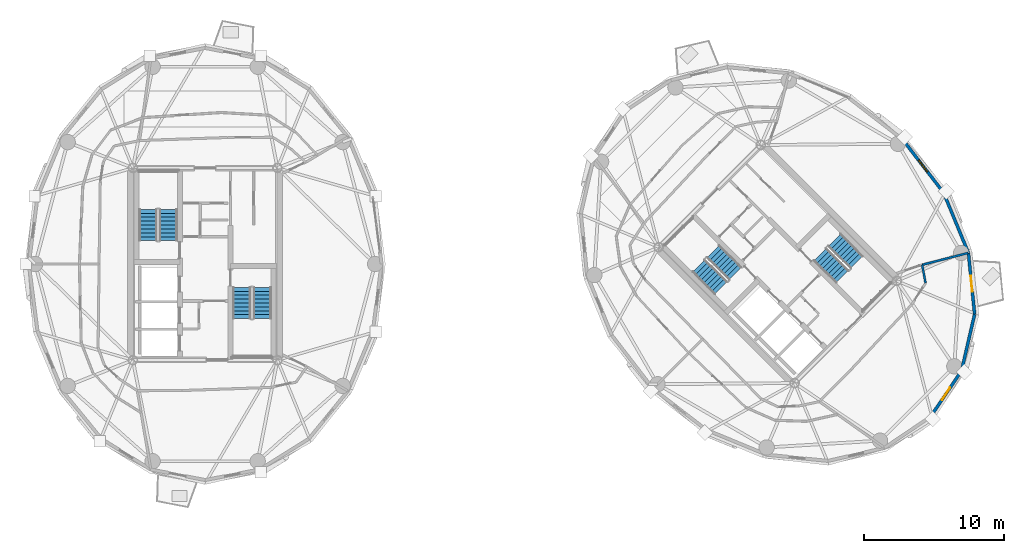
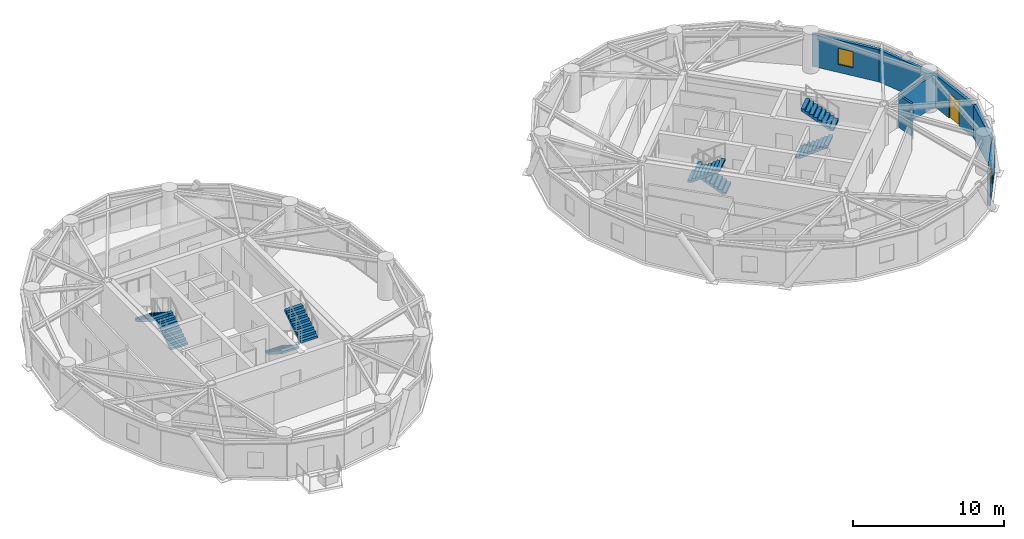
# One storey, part 13 of 16: 8 stair flights, 7 walls, 2 windows, 1 door, 3 openings, 4 elements without a shape of their own.
"""IFC4 building model written with IfcOpenShell, lengths in metres."""

from ifc_helpers import new_model, si_unit, direction, frame, frame_2d, origin, place, context, subcontext, project, spatial, polyline, rectangle, outline, extrude, source, transform, mapped, material, layer, layer_set, type_object, element, fill, aggregate, save


model = new_model("IFC4")

# Units and contexts
model_context = context("Model", 3, precision=1e-05, world=origin(), true_north=direction((0.0, 1.0)))
body_context = subcontext(model_context, "Body", "Model", "MODEL_VIEW")
ifc_project = project(units=[si_unit("LENGTHUNIT", "METRE"), si_unit("AREAUNIT", "SQUARE_METRE"), si_unit("VOLUMEUNIT", "CUBIC_METRE"), si_unit("PLANEANGLEUNIT", "RADIAN"), si_unit("MASSUNIT", "GRAM", prefix="KILO")], contexts=[model_context])

# Site, building, storey
site_placement = place(None, origin())
site = spatial("IfcSite", under=ifc_project, at=site_placement, CompositionType="ELEMENT")
building_placement = place(site_placement, origin())
building = spatial("IfcBuilding", under=site, at=building_placement, Name="Cununo Teusaquillo Station Towers", CompositionType="ELEMENT")
storey_placement = place(building_placement, frame((0.0, 0.0, 226.050048828125)))
storey = spatial("IfcBuildingStorey", under=building, at=storey_placement, Name="L72", CompositionType="ELEMENT", Elevation=226.050048828125)

# Wall, opening, window
ifc_material_1 = material(Name="Precast concrete C40/50", Category="concrete")
ifc_layer_1 = layer(ifc_material_1, 0.219970703125)
ifc_layer_set_1 = layer_set([ifc_layer_1], Name="Precast concrete C40/50")
wall_type_1 = type_object("IfcWallType", Name="WL-EXT-220", PredefinedType="SOLIDWALL", material=ifc_layer_set_1)
wall_1_placement = place(storey_placement, frame((70.663330078125, 16.856201171875, 0.0), z_axis=(0.0, 0.0, 1.0), x_axis=(-0.559495003079, -0.828833723692, 0.0)))
wall_1 = element("IfcWall", 1, at=wall_1_placement, inside=storey, type_object=wall_type_1, Name="L72 Tower B Exterior Facade Wall C15", PredefinedType="SOLIDWALL", context=body_context, shape_type="SweptSolid", body=[
    extrude(rectangle(XDim=3.9755859375, YDim=0.219970703125, at=frame_2d((1.98779296875, 0.0))), origin(), (0.0, 0.0, 1.0), 2.612060546875),
])
shared_shape_1 = source(origin(), body_context, "Body", "SweptSolid", [
    extrude(rectangle(XDim=1.050048828125, YDim=1.300048828125, at=frame_2d((0.52490234375, 0.64990234375))), frame((0.0, 0.119873046875, 0.0), z_axis=(0.0, -1.0, 0.0), x_axis=(1.0, 0.0, 0.0)), (0.0, 0.0, 1.0), 0.239990234375),
])
opening_1_placement = place(wall_1_placement, frame((1.462890625, 0.0, 0.64990234375)))
opening_1 = element("IfcOpeningElement", 2, at=opening_1_placement, cuts=wall_1, Name="Opening WN-04", PredefinedType="OPENING", context=body_context, shape_type="MappedRepresentation", body=[
    mapped(shared_shape_1, transform((0.0, 0.0, 0.0), x_axis=(1.0, 0.0, 0.0), y_axis=(0.0, 1.0, 0.0), z_axis=(0.0, 0.0, 1.0), scale=1.0)),
])
ifc_material_2 = material(Name="Operable acoustic tinted low-E double glazing", Category="glass")
window_type = type_object("IfcWindowType", Name="WIN-BAL-1050", PartitioningType="SINGLE_PANEL", PredefinedType="WINDOW", material=ifc_material_2)
shared_shape_2 = source(origin(), body_context, "Body", "SweptSolid", [
    extrude(rectangle(XDim=1.050048828125, YDim=1.300048828125, at=frame_2d((0.52490234375, 0.64990234375))), frame((0.0, 0.030029296875, 0.0), z_axis=(0.0, -1.0, 0.0), x_axis=(1.0, 0.0, 0.0)), (0.0, 0.0, 1.0), 0.06005859375),
])
window_1_placement = place(opening_1_placement, origin())
window_1 = element("IfcWindow", 3, at=window_1_placement, inside=storey, type_object=window_type, Name="L72 Tower B Facade Window C15", OverallHeight=1.300048828125, OverallWidth=1.050048828125, PartitioningType="SINGLE_PANEL", PredefinedType="WINDOW", context=body_context, shape_type="MappedRepresentation", body=[
    mapped(shared_shape_2, transform((0.0, 0.0, 0.0), x_axis=(1.0, 0.0, 0.0), y_axis=(0.0, 1.0, 0.0), z_axis=(0.0, 0.0, 1.0), scale=1.0)),
])
fill(opening_1, window_1)

# Wall
wall_2_placement = place(storey_placement, frame((71.59912109375, 20.899658203125, 0.0), z_axis=(0.0, 0.0, 1.0), x_axis=(-0.225473813158, -0.974249228678, 0.0)))
element("IfcWall", 4, at=wall_2_placement, inside=storey, type_object=wall_type_1, Name="L72 Tower B Exterior Facade Wall C16", PredefinedType="SOLIDWALL", context=body_context, shape_type="SweptSolid", body=[
    extrude(rectangle(XDim=4.150390625, YDim=0.219970703125, at=frame_2d((2.0751953125, 0.0))), origin(), (0.0, 0.0, 1.0), 2.612060546875),
])

# Wall, opening, door
wall_3_placement = place(storey_placement, frame((71.15478515625, 25.29541015625, 0.0), z_axis=(0.0, 0.0, 1.0), x_axis=(0.100570534541, -0.994929930991, 0.0)))
wall_3 = element("IfcWall", 5, at=wall_3_placement, inside=storey, type_object=wall_type_1, Name="L72 Tower B Exterior Facade Wall C17", PredefinedType="SOLIDWALL", context=body_context, shape_type="SweptSolid", body=[
    extrude(rectangle(XDim=4.418212890625, YDim=0.219970703125, at=frame_2d((2.208984375, 0.0))), origin(), (0.0, 0.0, 1.0), 2.612060546875),
])
shared_shape_3 = source(origin(), body_context, "Body", "SweptSolid", [
    extrude(rectangle(XDim=1.14990234375, YDim=2.0048828125, at=frame_2d((0.574951171875, 1.00244140625))), frame((0.0, 0.119873046875, 0.0), z_axis=(0.0, -1.0, 0.0), x_axis=(1.0, 0.0, 0.0)), (0.0, 0.0, 1.0), 0.239990234375),
])
opening_2_placement = place(wall_3_placement, frame((1.634033203125, 0.0, 0.0)))
opening_2 = element("IfcOpeningElement", 6, at=opening_2_placement, cuts=wall_3, Name="Opening ED-03", PredefinedType="OPENING", context=body_context, shape_type="MappedRepresentation", body=[
    mapped(shared_shape_3, transform((0.0, 0.0, 0.0), x_axis=(1.0, 0.0, 0.0), y_axis=(0.0, 1.0, 0.0), z_axis=(0.0, 0.0, 1.0), scale=1.0)),
])
ifc_material_3 = material(Name="Anodised dark bronze aluminium EN AW-6063-T6", Category="aluminium")
door_type = type_object("IfcDoorType", Name="DR-EXT-BAL", OperationType="NOTDEFINED", PredefinedType="DOOR", material=ifc_material_3)
shared_shape_4 = source(origin(), body_context, "Body", "SweptSolid", [
    extrude(rectangle(XDim=1.14990234375, YDim=2.0048828125, at=frame_2d((0.574951171875, 1.00244140625))), frame((0.0, 0.02490234375, 0.0), z_axis=(0.0, -1.0, 0.0), x_axis=(1.0, 0.0, 0.0)), (0.0, 0.0, 1.0), 0.050048828125),
])
door_placement = place(opening_2_placement, origin())
door = element("IfcDoor", 7, at=door_placement, inside=storey, type_object=door_type, Name="L72 Tower B Tree Balcony Door C17", OperationType="SINGLE_SWING_LEFT", OverallHeight=2.0048828125, OverallWidth=1.14990234375, PredefinedType="DOOR", context=body_context, shape_type="MappedRepresentation", body=[
    mapped(shared_shape_4, transform((0.0, 0.0, 0.0), x_axis=(1.0, 0.0, 0.0), y_axis=(0.0, 1.0, 0.0), z_axis=(0.0, 0.0, 1.0), scale=1.0)),
])
fill(opening_2, door)

# Wall
wall_4_placement = place(storey_placement, frame((69.373779296875, 29.61328125, 0.0), z_axis=(0.0, 0.0, 1.0), x_axis=(0.381309704956, -0.924447353237, 0.0)))
element("IfcWall", 8, at=wall_4_placement, inside=storey, type_object=wall_type_1, Name="L72 Tower B Exterior Facade Wall C18", PredefinedType="SOLIDWALL", context=body_context, shape_type="SweptSolid", body=[
    extrude(rectangle(XDim=4.670654296875, YDim=0.219970703125, at=frame_2d((2.33544921875, 0.0))), origin(), (0.0, 0.0, 1.0), 2.612060546875),
])

# Wall, opening, window
wall_5_placement = place(storey_placement, frame((66.430908203125, 33.430908203125, 0.0), z_axis=(0.0, 0.0, 1.0), x_axis=(0.610523083886, -0.791998462147, 0.0)))
wall_5 = element("IfcWall", 9, at=wall_5_placement, inside=storey, type_object=wall_type_1, Name="L72 Tower B Exterior Facade Wall C19", PredefinedType="SOLIDWALL", context=body_context, shape_type="SweptSolid", body=[
    extrude(rectangle(XDim=4.8203125, YDim=0.219970703125, at=frame_2d((2.41015625, 0.0))), origin(), (0.0, 0.0, 1.0), 2.612060546875),
])
opening_3_placement = place(wall_5_placement, frame((1.885009765625, 0.0, 0.64990234375)))
opening_3 = element("IfcOpeningElement", 10, at=opening_3_placement, cuts=wall_5, Name="Opening WN-04", PredefinedType="OPENING", context=body_context, shape_type="MappedRepresentation", body=[
    mapped(shared_shape_1, transform((0.0, 0.0, 0.0), x_axis=(1.0, 0.0, 0.0), y_axis=(0.0, 1.0, 0.0), z_axis=(0.0, 0.0, 1.0), scale=1.0)),
])
window_2_placement = place(opening_3_placement, origin())
window_2 = element("IfcWindow", 11, at=window_2_placement, inside=storey, type_object=window_type, Name="L72 Tower B Facade Window C19", OverallHeight=1.300048828125, OverallWidth=1.050048828125, PartitioningType="SINGLE_PANEL", PredefinedType="WINDOW", context=body_context, shape_type="MappedRepresentation", body=[
    mapped(shared_shape_2, transform((0.0, 0.0, 0.0), x_axis=(1.0, 0.0, 0.0), y_axis=(0.0, 1.0, 0.0), z_axis=(0.0, 0.0, 1.0), scale=1.0)),
])
fill(opening_3, window_2)

# Walls
ifc_material_4 = material(Name="Fire-rated gypsum plasterboard partition assembly", Category="gypsum")
ifc_layer_2 = layer(ifc_material_4, 0.14990234375)
ifc_layer_set_2 = layer_set([ifc_layer_2], Name="Fire-rated gypsum plasterboard partition assembly")
wall_type_2 = type_object("IfcWallType", Name="WL-PART-150", PredefinedType="PARTITIONING", material=ifc_layer_set_2)
wall_6_placement = place(storey_placement, frame((68.08642578125, 23.12939453125, 0.0), z_axis=(0.0, 0.0, 1.0), x_axis=(-0.182004193146, 0.983297754334, 0.0)))
element("IfcWall", 12, at=wall_6_placement, inside=storey, type_object=wall_type_2, Name="L72 Tower B Corridor Ring Wall C17", PredefinedType="PARTITIONING", context=body_context, shape_type="SweptSolid", body=[
    extrude(rectangle(XDim=1.3359375, YDim=0.14990234375, at=frame_2d((0.66796875, 0.0))), origin(), (0.0, 0.0, 1.0), 2.612060546875),
])
ifc_material_5 = material(Name="Fire-rated gypsum plasterboard partition assembly", Category="gypsum")
ifc_layer_3 = layer(ifc_material_5, 0.159912109375)
ifc_layer_set_3 = layer_set([ifc_layer_3], Name="Fire-rated gypsum plasterboard partition assembly")
wall_type_3 = type_object("IfcWallType", Name="WL-PART-160", PredefinedType="PARTITIONING", material=ifc_layer_set_3)
wall_7_placement = place(storey_placement, frame((67.84326171875, 24.443115234375, 0.0), z_axis=(0.0, 0.0, 1.0), x_axis=(0.968303102463, 0.249778105048, 0.0)))
element("IfcWall", 13, at=wall_7_placement, inside=storey, type_object=wall_type_3, Name="L72 Tower B Radial Suite Partition R05", PredefinedType="PARTITIONING", context=body_context, shape_type="SweptSolid", body=[
    extrude(rectangle(XDim=3.3994140625, YDim=0.159912109375, at=frame_2d((1.69970703125, 0.0))), origin(), (0.0, 0.0, 1.0), 2.612060546875),
])

# Stair, stair flights
ifc_material_6 = material(Name="Concrete C50/60", Category="concrete")
stair_type = type_object("IfcStairType", Name="ST-TWR-1300", PredefinedType="HALF_TURN_STAIR", material=ifc_material_6)
stair_1_placement = place(storey_placement, origin())
stair_1 = element("IfcStair", 14, at=stair_1_placement, inside=storey, type_object=stair_type, Name="L72 Tower A Protected Core Exit Stair 1", PredefinedType="HALF_TURN_STAIR")
ifc_material_7 = material(Name="Concrete C50/60", Category="concrete")
stair_flight_type = type_object("IfcStairFlightType", Name="SFL-TWR-1300", PredefinedType="STRAIGHT", material=ifc_material_7)
stair_flight_1_placement = place(storey_placement, frame((13.8701171875, 26.169921875, 0.0), z_axis=(0.0, 0.0, 1.0), x_axis=(0.0, 1.0, 0.0)))
stair_flight_1 = element("IfcStairFlight", 15, at=stair_flight_1_placement, type_object=stair_flight_type, Name="ST-T1-1 flight 1", NumberOfRisers=9, NumberOfTreads=8, PredefinedType="STRAIGHT", RiserHeight=0.177777778, TreadLength=0.28, context=body_context, shape_type="SweptSolid", body=[
    extrude(outline(polyline([(0.0, 0.0), (0.0, 0.177734375), (0.280029296875, 0.177734375), (0.280029296875, 0.35546875), (0.56005859375, 0.35546875), (0.56005859375, 0.533447265625), (0.840087890625, 0.533447265625), (0.840087890625, 0.711181640625), (1.1201171875, 0.711181640625), (1.1201171875, 0.888916015625), (1.39990234375, 0.888916015625), (1.39990234375, 1.066650390625), (1.679931640625, 1.066650390625), (1.679931640625, 1.244384765625), (1.9599609375, 1.244384765625), (1.9599609375, 1.422119140625), (2.239990234375, 1.422119140625), (2.239990234375, 1.60009765625), (2.239990234375, 1.24462890625), (0.27978515625, 0.0), (0.0, 0.0)])), frame((0.0, 0.64990234375, 0.0), z_axis=(0.0, -1.0, 0.0), x_axis=(1.0, 0.0, 0.0)), (0.0, 0.0, 1.0), 1.300048828125),
])
stair_flight_2_placement = place(storey_placement, frame((12.409912109375, 28.409912109375, 1.599853515625), z_axis=(0.0, 0.0, 1.0), x_axis=(0.0, -1.0, 0.0)))
stair_flight_2 = element("IfcStairFlight", 16, at=stair_flight_2_placement, type_object=stair_flight_type, Name="ST-T1-1 flight 2", NumberOfRisers=9, NumberOfTreads=8, PredefinedType="STRAIGHT", RiserHeight=0.177777778, TreadLength=0.28, context=body_context, shape_type="SweptSolid", body=[
    extrude(outline(polyline([(0.0, 0.0), (0.0, 0.177734375), (0.280029296875, 0.177734375), (0.280029296875, 0.35546875), (0.56005859375, 0.35546875), (0.56005859375, 0.533447265625), (0.840087890625, 0.533447265625), (0.840087890625, 0.711181640625), (1.1201171875, 0.711181640625), (1.1201171875, 0.888916015625), (1.39990234375, 0.888916015625), (1.39990234375, 1.066650390625), (1.679931640625, 1.066650390625), (1.679931640625, 1.244384765625), (1.9599609375, 1.244384765625), (1.9599609375, 1.422119140625), (2.239990234375, 1.422119140625), (2.239990234375, 1.60009765625), (2.239990234375, 1.24462890625), (0.27978515625, 0.0), (0.0, 0.0)])), frame((0.0, 0.64990234375, 0.0), z_axis=(0.0, -1.0, 0.0), x_axis=(1.0, 0.0, 0.0)), (0.0, 0.0, 1.0), 1.300048828125),
])
aggregate(stair_1, [stair_flight_1, stair_flight_2])

stair_2_placement = place(storey_placement, origin())
stair_2 = element("IfcStair", 17, at=stair_2_placement, inside=storey, type_object=stair_type, Name="L72 Tower A Protected Core Exit Stair 2", PredefinedType="HALF_TURN_STAIR")
stair_flight_3_placement = place(storey_placement, frame((19.1298828125, 22.830078125, 0.0), z_axis=(0.0, 0.0, 1.0), x_axis=(0.0, -1.0, 0.0)))
stair_flight_3 = element("IfcStairFlight", 18, at=stair_flight_3_placement, type_object=stair_flight_type, Name="ST-T1-2 flight 1", NumberOfRisers=9, NumberOfTreads=8, PredefinedType="STRAIGHT", RiserHeight=0.177777778, TreadLength=0.28, context=body_context, shape_type="SweptSolid", body=[
    extrude(outline(polyline([(0.0, 0.0), (0.0, 0.177734375), (0.280029296875, 0.177734375), (0.280029296875, 0.35546875), (0.56005859375, 0.35546875), (0.56005859375, 0.533447265625), (0.840087890625, 0.533447265625), (0.840087890625, 0.711181640625), (1.1201171875, 0.711181640625), (1.1201171875, 0.888916015625), (1.39990234375, 0.888916015625), (1.39990234375, 1.066650390625), (1.679931640625, 1.066650390625), (1.679931640625, 1.244384765625), (1.9599609375, 1.244384765625), (1.9599609375, 1.422119140625), (2.239990234375, 1.422119140625), (2.239990234375, 1.60009765625), (2.239990234375, 1.24462890625), (0.27978515625, 0.0), (0.0, 0.0)])), frame((0.0, 0.64990234375, 0.0), z_axis=(0.0, -1.0, 0.0), x_axis=(1.0, 0.0, 0.0)), (0.0, 0.0, 1.0), 1.300048828125),
])
stair_flight_4_placement = place(storey_placement, frame((20.590087890625, 20.590087890625, 1.599853515625), z_axis=(0.0, 0.0, 1.0), x_axis=(0.0, 1.0, 0.0)))
stair_flight_4 = element("IfcStairFlight", 19, at=stair_flight_4_placement, type_object=stair_flight_type, Name="ST-T1-2 flight 2", NumberOfRisers=9, NumberOfTreads=8, PredefinedType="STRAIGHT", RiserHeight=0.177777778, TreadLength=0.28, context=body_context, shape_type="SweptSolid", body=[
    extrude(outline(polyline([(0.0, 0.0), (0.0, 0.177734375), (0.280029296875, 0.177734375), (0.280029296875, 0.35546875), (0.56005859375, 0.35546875), (0.56005859375, 0.533447265625), (0.840087890625, 0.533447265625), (0.840087890625, 0.711181640625), (1.1201171875, 0.711181640625), (1.1201171875, 0.888916015625), (1.39990234375, 0.888916015625), (1.39990234375, 1.066650390625), (1.679931640625, 1.066650390625), (1.679931640625, 1.244384765625), (1.9599609375, 1.244384765625), (1.9599609375, 1.422119140625), (2.239990234375, 1.422119140625), (2.239990234375, 1.60009765625), (2.239990234375, 1.24462890625), (0.27978515625, 0.0), (0.0, 0.0)])), frame((0.0, 0.64990234375, 0.0), z_axis=(0.0, -1.0, 0.0), x_axis=(1.0, 0.0, 0.0)), (0.0, 0.0, 1.0), 1.300048828125),
])
aggregate(stair_2, [stair_flight_3, stair_flight_4])

stair_3_placement = place(storey_placement, origin())
stair_3 = element("IfcStair", 20, at=stair_3_placement, inside=storey, type_object=stair_type, Name="L72 Tower B Protected Core Exit Stair 1", PredefinedType="HALF_TURN_STAIR")
stair_flight_5_placement = place(storey_placement, frame((54.45947265625, 23.8212890625, 0.0), z_axis=(0.0, 0.0, 1.0), x_axis=(-0.707106781187, 0.707106781187, 0.0)))
stair_flight_5 = element("IfcStairFlight", 21, at=stair_flight_5_placement, type_object=stair_flight_type, Name="ST-T2-1 flight 1", NumberOfRisers=9, NumberOfTreads=8, PredefinedType="STRAIGHT", RiserHeight=0.177777778, TreadLength=0.28, context=body_context, shape_type="SweptSolid", body=[
    extrude(outline(polyline([(0.0, 0.0), (0.0, 0.177734375), (0.280029296875, 0.177734375), (0.280029296875, 0.35546875), (0.56005859375, 0.35546875), (0.56005859375, 0.533447265625), (0.840087890625, 0.533447265625), (0.840087890625, 0.711181640625), (1.1201171875, 0.711181640625), (1.1201171875, 0.888916015625), (1.39990234375, 0.888916015625), (1.39990234375, 1.066650390625), (1.679931640625, 1.066650390625), (1.679931640625, 1.244384765625), (1.9599609375, 1.244384765625), (1.9599609375, 1.422119140625), (2.239990234375, 1.422119140625), (2.239990234375, 1.60009765625), (2.239990234375, 1.24462890625), (0.27978515625, 0.0), (0.0, 0.0)])), frame((0.0, 0.64990234375, 0.0), z_axis=(0.0, -1.0, 0.0), x_axis=(1.0, 0.0, 0.0)), (0.0, 0.0, 1.0), 1.300048828125),
])
stair_flight_6_placement = place(storey_placement, frame((51.84326171875, 24.372802734375, 1.599853515625), z_axis=(0.0, 0.0, 1.0), x_axis=(0.707106781187, -0.707106781187, 0.0)))
stair_flight_6 = element("IfcStairFlight", 22, at=stair_flight_6_placement, type_object=stair_flight_type, Name="ST-T2-1 flight 2", NumberOfRisers=9, NumberOfTreads=8, PredefinedType="STRAIGHT", RiserHeight=0.177777778, TreadLength=0.28, context=body_context, shape_type="SweptSolid", body=[
    extrude(outline(polyline([(0.0, 0.0), (0.0, 0.177734375), (0.280029296875, 0.177734375), (0.280029296875, 0.35546875), (0.56005859375, 0.35546875), (0.56005859375, 0.533447265625), (0.840087890625, 0.533447265625), (0.840087890625, 0.711181640625), (1.1201171875, 0.711181640625), (1.1201171875, 0.888916015625), (1.39990234375, 0.888916015625), (1.39990234375, 1.066650390625), (1.679931640625, 1.066650390625), (1.679931640625, 1.244384765625), (1.9599609375, 1.244384765625), (1.9599609375, 1.422119140625), (2.239990234375, 1.422119140625), (2.239990234375, 1.60009765625), (2.239990234375, 1.24462890625), (0.27978515625, 0.0), (0.0, 0.0)])), frame((0.0, 0.64990234375, 0.0), z_axis=(0.0, -1.0, 0.0), x_axis=(1.0, 0.0, 0.0)), (0.0, 0.0, 1.0), 1.300048828125),
])
aggregate(stair_3, [stair_flight_5, stair_flight_6])

stair_4_placement = place(storey_placement, origin())
stair_4 = element("IfcStair", 23, at=stair_4_placement, inside=storey, type_object=stair_type, Name="L72 Tower B Protected Core Exit Stair 2", PredefinedType="HALF_TURN_STAIR")
stair_flight_7_placement = place(storey_placement, frame((60.54052734375, 25.1787109375, 0.0), z_axis=(0.0, 0.0, 1.0), x_axis=(0.707106781187, -0.707106781187, 0.0)))
stair_flight_7 = element("IfcStairFlight", 24, at=stair_flight_7_placement, type_object=stair_flight_type, Name="ST-T2-2 flight 1", NumberOfRisers=9, NumberOfTreads=8, PredefinedType="STRAIGHT", RiserHeight=0.177777778, TreadLength=0.28, context=body_context, shape_type="SweptSolid", body=[
    extrude(outline(polyline([(0.0, 0.0), (0.0, 0.177734375), (0.280029296875, 0.177734375), (0.280029296875, 0.35546875), (0.56005859375, 0.35546875), (0.56005859375, 0.533447265625), (0.840087890625, 0.533447265625), (0.840087890625, 0.711181640625), (1.1201171875, 0.711181640625), (1.1201171875, 0.888916015625), (1.39990234375, 0.888916015625), (1.39990234375, 1.066650390625), (1.679931640625, 1.066650390625), (1.679931640625, 1.244384765625), (1.9599609375, 1.244384765625), (1.9599609375, 1.422119140625), (2.239990234375, 1.422119140625), (2.239990234375, 1.60009765625), (2.239990234375, 1.24462890625), (0.27978515625, 0.0), (0.0, 0.0)])), frame((0.0, 0.64990234375, 0.0), z_axis=(0.0, -1.0, 0.0), x_axis=(1.0, 0.0, 0.0)), (0.0, 0.0, 1.0), 1.300048828125),
])
stair_flight_8_placement = place(storey_placement, frame((63.15673828125, 24.627197265625, 1.599853515625), z_axis=(0.0, 0.0, 1.0), x_axis=(-0.707106781187, 0.707106781187, 0.0)))
stair_flight_8 = element("IfcStairFlight", 25, at=stair_flight_8_placement, type_object=stair_flight_type, Name="ST-T2-2 flight 2", NumberOfRisers=9, NumberOfTreads=8, PredefinedType="STRAIGHT", RiserHeight=0.177777778, TreadLength=0.28, context=body_context, shape_type="SweptSolid", body=[
    extrude(outline(polyline([(0.0, 0.0), (0.0, 0.177734375), (0.280029296875, 0.177734375), (0.280029296875, 0.35546875), (0.56005859375, 0.35546875), (0.56005859375, 0.533447265625), (0.840087890625, 0.533447265625), (0.840087890625, 0.711181640625), (1.1201171875, 0.711181640625), (1.1201171875, 0.888916015625), (1.39990234375, 0.888916015625), (1.39990234375, 1.066650390625), (1.679931640625, 1.066650390625), (1.679931640625, 1.244384765625), (1.9599609375, 1.244384765625), (1.9599609375, 1.422119140625), (2.239990234375, 1.422119140625), (2.239990234375, 1.60009765625), (2.239990234375, 1.24462890625), (0.27978515625, 0.0), (0.0, 0.0)])), frame((0.0, 0.64990234375, 0.0), z_axis=(0.0, -1.0, 0.0), x_axis=(1.0, 0.0, 0.0)), (0.0, 0.0, 1.0), 1.300048828125),
])
aggregate(stair_4, [stair_flight_7, stair_flight_8])

save(model, "model.ifc")
